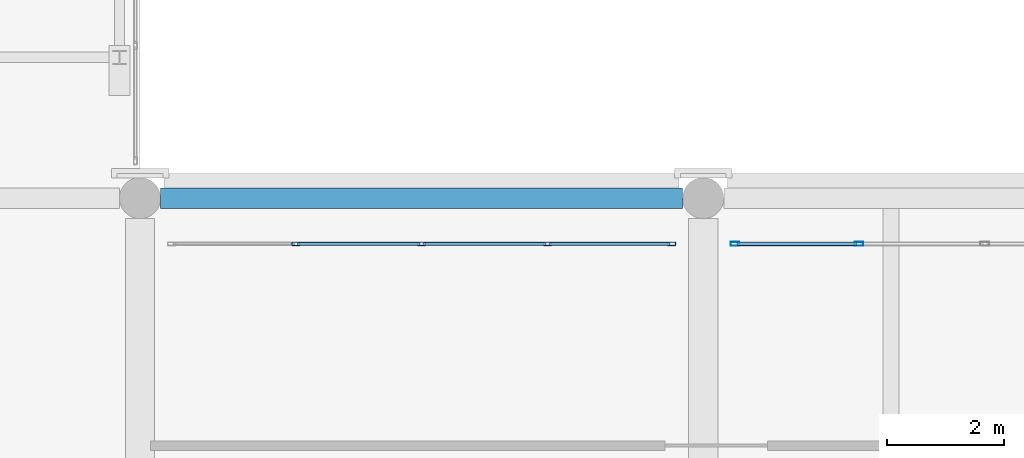
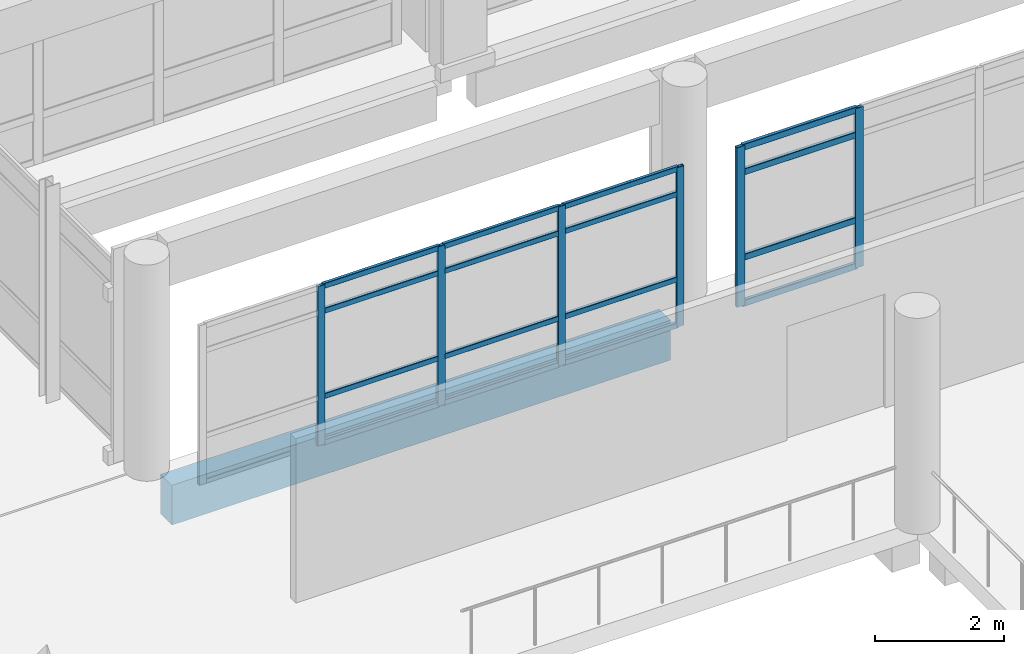
# One storey, part 28 of 180: 22 members, 1 beam, 2 elements without a shape of their own.
"""IFC4 building model written with IfcOpenShell, lengths in metres."""

import ifcopenshell
import ifcopenshell.guid

model = None  # the IFC model being written
_history = None  # IfcOwnerHistory: only IFC2X3 demands one
_inside = {}  # id of a spatial element -> (the spatial element, [elements in it])
_under = {}  # id of a project, library or spatial element -> (it, [spatial elements below it])
_declared = {}  # id of a project -> (the project, [libraries it declares])
_typed = {}  # id of a type object -> (the type object, [elements of that type])
_made_of = {}  # id of a material, layer set ... -> (it, [elements and type objects made of it])


def new_model(schema):
    """Start an empty IFC model of exactly this schema.

    Asked for "IFC4X3", IfcOpenShell would pick the latest addendum, in which some entities
    have other attributes; the version numbers below select the first issue.
    IFC2X3 requires an IfcOwnerHistory on every rooted entity: one is made here for all.
    """
    global model, _history
    if schema == "IFC4X3":
        model = ifcopenshell.file(schema_version=(4, 3, 0, 0))
    else:
        model = ifcopenshell.file(schema=schema)
    _inside.clear()
    _under.clear()
    _declared.clear()
    _typed.clear()
    _made_of.clear()
    _history = None
    if model.schema == "IFC2X3":
        org = make("IfcOrganization", Name="unknown")
        user = make(
            "IfcPersonAndOrganization",
            ThePerson=make("IfcPerson", FamilyName="unknown"),
            TheOrganization=org,
        )
        app = make(
            "IfcApplication",
            ApplicationDeveloper=org,
            Version="unknown",
            ApplicationFullName="unknown",
            ApplicationIdentifier="unknown",
        )
        _history = make(
            "IfcOwnerHistory",
            OwningUser=user,
            OwningApplication=app,
            ChangeAction="ADDED",
            CreationDate=0,
        )
    return model


def make(cls, **values):
    """One entity of the class cls with the attributes given. An attribute that is None is left unset."""
    return model.create_entity(
        cls, **{name: value for name, value in values.items() if value is not None}
    )


def rooted(cls, **values):
    """An entity with a GlobalId (a new one), such as an element, a storey or a relation."""
    return make(cls, GlobalId=ifcopenshell.guid.new(), OwnerHistory=_history, **values)


def si_unit(unit_type, name, prefix=None):
    """IfcSIUnit, for example si_unit("LENGTHUNIT", "METRE", prefix="MILLI")."""
    return make("IfcSIUnit", UnitType=unit_type, Prefix=prefix, Name=name)


def assignment(units):
    """IfcUnitAssignment: the units of a project."""
    return None if units is None else make("IfcUnitAssignment", Units=units)


def point(xyz):
    """IfcCartesianPoint."""
    return None if xyz is None else make("IfcCartesianPoint", Coordinates=xyz)


def direction(xyz):
    """IfcDirection."""
    return None if xyz is None else make("IfcDirection", DirectionRatios=xyz)


def frame(location, z_axis=None, x_axis=None):
    """IfcAxis2Placement3D, a coordinate frame: its origin and axes. An axis left out is left unset."""
    return make(
        "IfcAxis2Placement3D",
        Location=point(location),
        Axis=direction(z_axis),
        RefDirection=direction(x_axis),
    )


def frame_2d(location, x_axis=None):
    """IfcAxis2Placement2D, a coordinate frame in the plane: its origin and x axis."""
    return make(
        "IfcAxis2Placement2D", Location=point(location), RefDirection=direction(x_axis)
    )


def origin():
    """The frame at (0, 0, 0) with its axes left unset."""
    return frame((0.0, 0.0, 0.0))


def origin_2d():
    """The frame at (0, 0) in the plane with its x axis left unset."""
    return frame_2d((0.0, 0.0))


def place(relative_to, where):
    """IfcLocalPlacement: puts the frame where relative to a parent placement (None: the world)."""
    return make(
        "IfcLocalPlacement", PlacementRelTo=relative_to, RelativePlacement=where
    )


def context(
    kind, dimensions, precision=None, world=None, true_north=None, identifier=None
):
    """IfcGeometricRepresentationContext, for example the 3D "Model" context."""
    return make(
        "IfcGeometricRepresentationContext",
        ContextIdentifier=identifier,
        ContextType=kind,
        CoordinateSpaceDimension=dimensions,
        Precision=precision,
        WorldCoordinateSystem=world,
        TrueNorth=true_north,
    )


def subcontext(parent, identifier, kind, view, scale=None):
    """IfcGeometricRepresentationSubContext, for example "Body" below "Model"."""
    return make(
        "IfcGeometricRepresentationSubContext",
        ContextIdentifier=identifier,
        ContextType=kind,
        ParentContext=parent,
        TargetScale=scale,
        TargetView=view,
    )


def project(units=None, contexts=None):
    """IfcProject with its units and contexts."""
    return rooted(
        "IfcProject",
        Name="project",
        RepresentationContexts=contexts,
        UnitsInContext=assignment(units),
    )


def spatial(cls, under=None, at=None, **own):
    """A site, building, storey or space (cls), placed at a placement, below another one or the project."""
    s = rooted(cls, ObjectPlacement=at, **own)
    if under is not None:
        _under.setdefault(under.id(), (under, []))[1].append(s)
    return s


def profile(cls, at=None, kind="AREA", **sizes):
    """A parametric profile (cls). Its sizes go by their IFC names, for example OverallWidth=200.0."""
    return make(cls, ProfileType=kind, Position=at, **sizes)


def rectangle(**sizes):
    """IfcRectangleProfileDef."""
    return profile("IfcRectangleProfileDef", **sizes)


def hollow_rectangle(**sizes):
    """IfcRectangleHollowProfileDef."""
    return profile("IfcRectangleHollowProfileDef", **sizes)


def extrude(swept, where, along, depth):
    """IfcExtrudedAreaSolid: the profile swept, set in the frame where, extruded along a direction by depth."""
    return make(
        "IfcExtrudedAreaSolid",
        SweptArea=swept,
        Position=where,
        ExtrudedDirection=direction(along),
        Depth=depth,
    )


def shape(context_of_items, identifier, shape_type, items):
    """IfcShapeRepresentation: the items that make up one representation, for example the "Body"."""
    return make(
        "IfcShapeRepresentation",
        ContextOfItems=context_of_items,
        RepresentationIdentifier=identifier,
        RepresentationType=shape_type,
        Items=items,
    )


def material(Name=None, Category=None):
    """IfcMaterial."""
    return make("IfcMaterial", Name=Name, Category=Category)


def layer(
    of_material, thickness, ventilated=None, Name=None, Category=None, Priority=None
):
    """IfcMaterialLayer: one layer of a wall or slab, of a material (None: an air gap)."""
    return make(
        "IfcMaterialLayer",
        Material=of_material,
        LayerThickness=thickness,
        IsVentilated=ventilated,
        Name=Name,
        Category=Category,
        Priority=Priority,
    )


def layer_set(layers, Name=None):
    """IfcMaterialLayerSet."""
    return make("IfcMaterialLayerSet", MaterialLayers=layers, LayerSetName=Name)


def material_profile(
    of_material, cross_section, Name=None, Category=None, Priority=None
):
    """IfcMaterialProfile: a cross section and its material."""
    return make(
        "IfcMaterialProfile",
        Name=Name,
        Material=of_material,
        Profile=cross_section,
        Priority=Priority,
        Category=Category,
    )


def profile_set(profiles, Name=None, composite=None):
    """IfcMaterialProfileSet."""
    return make(
        "IfcMaterialProfileSet",
        Name=Name,
        MaterialProfiles=profiles,
        CompositeProfile=composite,
    )


def made_of(thing, what):
    """Note that an element or type object is made of a material, layer set ...; save() writes the relation."""
    if what is not None:
        _made_of.setdefault(what.id(), (what, []))[1].append(thing)
    return thing


def type_object(cls, material=None, **own):
    """A type object (cls), such as IfcWallType, which elements share."""
    return made_of(rooted(cls, **own), material)


def element(
    cls,
    number,
    at=None,
    inside=None,
    cuts=None,
    type_object=None,
    material=None,
    context=None,
    identifier="Body",
    shape_type=None,
    held_by="IfcProductDefinitionShape",
    body=None,
    shapes=None,
    **own,
):
    """One element of the class cls, such as IfcWall. Its Tag is "e" and its number.

    at: its placement. inside: the storey or other place that contains it. cuts: it is an
    opening in that element (IfcRelVoidsElement). A single representation is given by context,
    identifier, shape_type and body (its items); several are given by shapes. held_by: the class
    of the entity that holds the representations. save() writes the other relations.
    """
    e = rooted(cls, Tag="e%d" % number, ObjectPlacement=at, **own)
    if body is not None:
        shapes = [shape(context, identifier, shape_type, body)]
    if shapes is not None:
        e.Representation = make(held_by, Representations=shapes)
    if inside is not None:
        _inside.setdefault(inside.id(), (inside, []))[1].append(e)
    if cuts is not None:
        rooted(
            "IfcRelVoidsElement", RelatingBuildingElement=cuts, RelatedOpeningElement=e
        )
    if type_object is not None:
        _typed.setdefault(type_object.id(), (type_object, []))[1].append(e)
    return made_of(e, material)


def aggregate(whole, parts):
    """IfcRelAggregates: a whole, such as a stair, and the parts it consists of."""
    return rooted("IfcRelAggregates", RelatingObject=whole, RelatedObjects=parts)


def save(model, path):
    """Write the relations noted so far, then the file.

    IfcRelAggregates (storeys below a building ...), IfcRelContainedInSpatialStructure (elements
    in a storey), IfcRelDefinesByType, IfcRelAssociatesMaterial and IfcRelDeclares: one each for
    every whole, place, type object, material and project.
    """
    for whole, parts in _under.values():
        aggregate(whole, parts)
    for where, things in _inside.values():
        rooted(
            "IfcRelContainedInSpatialStructure",
            RelatedElements=things,
            RelatingStructure=where,
        )
    for kind, things in _typed.values():
        rooted("IfcRelDefinesByType", RelatedObjects=things, RelatingType=kind)
    for what, things in _made_of.values():
        rooted("IfcRelAssociatesMaterial", RelatedObjects=things, RelatingMaterial=what)
    for by, libraries in _declared.values():
        rooted("IfcRelDeclares", RelatingContext=by, RelatedDefinitions=libraries)
    model.write(path)


model = new_model("IFC4")

# Units and contexts
model_context = context("Model", 3, precision=1e-05, world=origin(), true_north=direction((0.0, 1.0)))
body_context = subcontext(model_context, "Body", "Model", "MODEL_VIEW")
ifc_project = project(units=[si_unit("LENGTHUNIT", "METRE"), si_unit("AREAUNIT", "SQUARE_METRE"), si_unit("VOLUMEUNIT", "CUBIC_METRE"), si_unit("PLANEANGLEUNIT", "RADIAN"), si_unit("MASSUNIT", "GRAM", prefix="KILO")], contexts=[model_context])

# Site, building, storey
site_placement = place(None, origin())
site = spatial("IfcSite", under=ifc_project, at=site_placement, CompositionType="ELEMENT")
building_placement = place(site_placement, origin())
building = spatial("IfcBuilding", under=site, at=building_placement, Name="Asteropetra Specialist Clinic", CompositionType="ELEMENT")
storey_placement = place(building_placement, frame((0.0, 0.0, 4.419921875)))
storey = spatial("IfcBuildingStorey", under=building, at=storey_placement, Name="L01", CompositionType="ELEMENT", Elevation=4.419921875)

# Curtain wall, members
ifc_material_1 = material(Name="Aluminium and low-E glass", Category="aluminium")
ifc_layer_1 = layer(ifc_material_1, 0.135009765625)
ifc_layer_set_1 = layer_set([ifc_layer_1], Name="Aluminium and low-E glass")
curtain_wall_type_1 = type_object("IfcCurtainWallType", Name="CW-SYS-09", PredefinedType="USERDEFINED", material=ifc_layer_set_1)
curtain_wall_1_placement = place(storey_placement, origin())
curtain_wall_1 = element("IfcCurtainWall", 1, at=curtain_wall_1_placement, inside=storey, type_object=curtain_wall_type_1, Name="Curtain Wall CW-137", ObjectType="STICK GLAZED COLONNADE", PredefinedType="USERDEFINED")
ifc_material_2 = material(Name="Aluminium 6063-T6", Category="aluminium")
ifc_material_profile_1 = material_profile(ifc_material_2, hollow_rectangle(XDim=0.06005859375, YDim=0.135009765625, WallThickness=0.00341796875, InnerFilletRadius=0.00341796875, OuterFilletRadius=0.007080078125, at=origin_2d()), Name="MUL 135x60x3.5")
ifc_profile_set_1 = profile_set([ifc_material_profile_1], Name="Aluminium 6063-T6")
member_type_1 = type_object("IfcMemberType", Name="CWM-135x60", PredefinedType="MULLION", material=ifc_profile_set_1)
member_1_placement = place(storey_placement, frame((37.860107421875, 25.6201171875, 0.0), z_axis=(0.0, 0.0, 1.0), x_axis=(0.0, -1.0, 0.0)))
member_1 = element("IfcMember", 2, at=member_1_placement, type_object=member_type_1, Name="CW-137 mullion 1", PredefinedType="MULLION", context=body_context, shape_type="SweptSolid", body=[
    extrude(hollow_rectangle(XDim=0.06005859375, YDim=0.135009765625, WallThickness=0.00341796875, InnerFilletRadius=0.00341796875, OuterFilletRadius=0.007080078125, at=origin_2d()), origin(), (0.0, 0.0, 1.0), 3.010009765625),
])
member_2_placement = place(storey_placement, frame((35.7451171875, 25.6201171875, 0.0), z_axis=(0.0, 0.0, 1.0), x_axis=(0.0, -1.0, 0.0)))
member_2 = element("IfcMember", 3, at=member_2_placement, type_object=member_type_1, Name="CW-137 mullion 2", PredefinedType="MULLION", context=body_context, shape_type="SweptSolid", body=[
    extrude(hollow_rectangle(XDim=0.06005859375, YDim=0.135009765625, WallThickness=0.00341796875, InnerFilletRadius=0.00341796875, OuterFilletRadius=0.007080078125, at=origin_2d()), origin(), (0.0, 0.0, 1.0), 3.010009765625),
])
member_3_placement = place(storey_placement, frame((33.60009765625, 25.6201171875, 0.0), z_axis=(0.0, 0.0, 1.0), x_axis=(0.0, -1.0, 0.0)))
member_3 = element("IfcMember", 4, at=member_3_placement, type_object=member_type_1, Name="CW-137 mullion 3", PredefinedType="MULLION", context=body_context, shape_type="SweptSolid", body=[
    extrude(hollow_rectangle(XDim=0.06005859375, YDim=0.135009765625, WallThickness=0.00341796875, InnerFilletRadius=0.00341796875, OuterFilletRadius=0.007080078125, at=origin_2d()), origin(), (0.0, 0.0, 1.0), 3.010009765625),
])
member_4_placement = place(storey_placement, frame((31.455078125, 25.6201171875, 0.0), z_axis=(0.0, 0.0, 1.0), x_axis=(0.0, -1.0, 0.0)))
member_4 = element("IfcMember", 5, at=member_4_placement, type_object=member_type_1, Name="CW-137 mullion 4", PredefinedType="MULLION", context=body_context, shape_type="SweptSolid", body=[
    extrude(hollow_rectangle(XDim=0.06005859375, YDim=0.135009765625, WallThickness=0.00341796875, InnerFilletRadius=0.00341796875, OuterFilletRadius=0.007080078125, at=origin_2d()), origin(), (0.0, 0.0, 1.0), 3.010009765625),
])

ifc_material_3 = material(Name="Aluminium and low-E glass", Category="aluminium")
ifc_layer_2 = layer(ifc_material_3, 0.14990234375)
ifc_layer_set_2 = layer_set([ifc_layer_2], Name="Aluminium and low-E glass")
curtain_wall_type_2 = type_object("IfcCurtainWallType", Name="CW-SYS-11", PredefinedType="USERDEFINED", material=ifc_layer_set_2)
curtain_wall_2_placement = place(storey_placement, origin())
curtain_wall_2 = element("IfcCurtainWall", 6, at=curtain_wall_2_placement, inside=storey, type_object=curtain_wall_type_2, Name="Curtain Wall CW-139", ObjectType="STICK GLAZED COLONNADE", PredefinedType="USERDEFINED")
ifc_material_4 = material(Name="Aluminium 6063-T6", Category="aluminium")
ifc_material_profile_2 = material_profile(ifc_material_4, hollow_rectangle(XDim=0.06494140625, YDim=0.14990234375, WallThickness=0.00390625, InnerFilletRadius=0.00390625, OuterFilletRadius=0.008056640625, at=origin_2d()), Name="MUL 150x65x4.0")
ifc_profile_set_2 = profile_set([ifc_material_profile_2], Name="Aluminium 6063-T6")
member_type_2 = type_object("IfcMemberType", Name="CWM-150x65", PredefinedType="MULLION", material=ifc_profile_set_2)
member_5_placement = place(storey_placement, frame((41.054931640625, 25.6201171875, 0.0), z_axis=(0.0, 0.0, 1.0), x_axis=(0.0, -1.0, 0.0)))
member_5 = element("IfcMember", 7, at=member_5_placement, type_object=member_type_2, Name="CW-139 mullion 4", PredefinedType="MULLION", context=body_context, shape_type="SweptSolid", body=[
    extrude(hollow_rectangle(XDim=0.06494140625, YDim=0.14990234375, WallThickness=0.00390625, InnerFilletRadius=0.00390625, OuterFilletRadius=0.008056640625, at=origin_2d()), origin(), (0.0, 0.0, 1.0), 3.010009765625),
])
member_6_placement = place(storey_placement, frame((38.9423828125, 25.6201171875, 0.0), z_axis=(0.0, 0.0, 1.0), x_axis=(0.0, -1.0, 0.0)))
member_6 = element("IfcMember", 8, at=member_6_placement, type_object=member_type_2, Name="CW-139 mullion 5", PredefinedType="MULLION", context=body_context, shape_type="SweptSolid", body=[
    extrude(hollow_rectangle(XDim=0.06494140625, YDim=0.14990234375, WallThickness=0.00390625, InnerFilletRadius=0.00390625, OuterFilletRadius=0.008056640625, at=origin_2d()), origin(), (0.0, 0.0, 1.0), 3.010009765625),
])

# Member
ifc_material_5 = material(Name="Aluminium 6063-T6", Category="aluminium")
ifc_material_profile_3 = material_profile(ifc_material_5, hollow_rectangle(XDim=0.06005859375, YDim=0.10009765625, WallThickness=0.00341796875, InnerFilletRadius=0.00341796875, OuterFilletRadius=0.007080078125, at=origin_2d()), Name="TRN 100x60x3.5")
ifc_profile_set_3 = profile_set([ifc_material_profile_3], Name="Aluminium 6063-T6")
member_type_3 = type_object("IfcMemberType", Name="CWT-100x60", PredefinedType="USERDEFINED", material=ifc_profile_set_3)
member_7_placement = place(storey_placement, frame((37.830078125, 25.6201171875, 0.030029296875), z_axis=(-1.0, 0.0, 0.0), x_axis=(0.0, -1.0, 0.0)))
member_7 = element("IfcMember", 9, at=member_7_placement, type_object=member_type_3, Name="CW-137 transom 1.1", ObjectType="TRANSOM", PredefinedType="USERDEFINED", context=body_context, shape_type="SweptSolid", body=[
    extrude(hollow_rectangle(XDim=0.06005859375, YDim=0.10009765625, WallThickness=0.00341796875, InnerFilletRadius=0.00341796875, OuterFilletRadius=0.007080078125, at=origin_2d()), origin(), (0.0, 0.0, 1.0), 2.05517578125),
])

member_8_placement = place(storey_placement, frame((37.830078125, 25.6201171875, 0.900146484375), z_axis=(-1.0, 0.0, 0.0), x_axis=(0.0, -1.0, 0.0)))
member_8 = element("IfcMember", 10, at=member_8_placement, type_object=member_type_3, Name="CW-137 transom 1.2", ObjectType="TRANSOM", PredefinedType="USERDEFINED", context=body_context, shape_type="SweptSolid", body=[
    extrude(hollow_rectangle(XDim=0.06005859375, YDim=0.10009765625, WallThickness=0.00341796875, InnerFilletRadius=0.00341796875, OuterFilletRadius=0.007080078125, at=origin_2d()), origin(), (0.0, 0.0, 1.0), 2.05517578125),
])

member_9_placement = place(storey_placement, frame((37.830078125, 25.6201171875, 2.510009765625), z_axis=(-1.0, 0.0, 0.0), x_axis=(0.0, -1.0, 0.0)))
member_9 = element("IfcMember", 11, at=member_9_placement, type_object=member_type_3, Name="CW-137 transom 1.3", ObjectType="TRANSOM", PredefinedType="USERDEFINED", context=body_context, shape_type="SweptSolid", body=[
    extrude(hollow_rectangle(XDim=0.06005859375, YDim=0.10009765625, WallThickness=0.00341796875, InnerFilletRadius=0.00341796875, OuterFilletRadius=0.007080078125, at=origin_2d()), origin(), (0.0, 0.0, 1.0), 2.05517578125),
])

member_10_placement = place(storey_placement, frame((37.830078125, 25.6201171875, 2.97998046875), z_axis=(-1.0, 0.0, 0.0), x_axis=(0.0, -1.0, 0.0)))
member_10 = element("IfcMember", 12, at=member_10_placement, type_object=member_type_3, Name="CW-137 transom 1.4", ObjectType="TRANSOM", PredefinedType="USERDEFINED", context=body_context, shape_type="SweptSolid", body=[
    extrude(hollow_rectangle(XDim=0.06005859375, YDim=0.10009765625, WallThickness=0.00341796875, InnerFilletRadius=0.00341796875, OuterFilletRadius=0.007080078125, at=origin_2d()), origin(), (0.0, 0.0, 1.0), 2.05517578125),
])

member_11_placement = place(storey_placement, frame((35.715087890625, 25.6201171875, 0.030029296875), z_axis=(-1.0, 0.0, 0.0), x_axis=(0.0, -1.0, 0.0)))
member_11 = element("IfcMember", 13, at=member_11_placement, type_object=member_type_3, Name="CW-137 transom 2.1", ObjectType="TRANSOM", PredefinedType="USERDEFINED", context=body_context, shape_type="SweptSolid", body=[
    extrude(hollow_rectangle(XDim=0.06005859375, YDim=0.10009765625, WallThickness=0.00341796875, InnerFilletRadius=0.00341796875, OuterFilletRadius=0.007080078125, at=origin_2d()), origin(), (0.0, 0.0, 1.0), 2.085205078125),
])

member_12_placement = place(storey_placement, frame((35.715087890625, 25.6201171875, 0.900146484375), z_axis=(-1.0, 0.0, 0.0), x_axis=(0.0, -1.0, 0.0)))
member_12 = element("IfcMember", 14, at=member_12_placement, type_object=member_type_3, Name="CW-137 transom 2.2", ObjectType="TRANSOM", PredefinedType="USERDEFINED", context=body_context, shape_type="SweptSolid", body=[
    extrude(hollow_rectangle(XDim=0.06005859375, YDim=0.10009765625, WallThickness=0.00341796875, InnerFilletRadius=0.00341796875, OuterFilletRadius=0.007080078125, at=origin_2d()), origin(), (0.0, 0.0, 1.0), 2.085205078125),
])

member_13_placement = place(storey_placement, frame((35.715087890625, 25.6201171875, 2.510009765625), z_axis=(-1.0, 0.0, 0.0), x_axis=(0.0, -1.0, 0.0)))
member_13 = element("IfcMember", 15, at=member_13_placement, type_object=member_type_3, Name="CW-137 transom 2.3", ObjectType="TRANSOM", PredefinedType="USERDEFINED", context=body_context, shape_type="SweptSolid", body=[
    extrude(hollow_rectangle(XDim=0.06005859375, YDim=0.10009765625, WallThickness=0.00341796875, InnerFilletRadius=0.00341796875, OuterFilletRadius=0.007080078125, at=origin_2d()), origin(), (0.0, 0.0, 1.0), 2.085205078125),
])

member_14_placement = place(storey_placement, frame((35.715087890625, 25.6201171875, 2.97998046875), z_axis=(-1.0, 0.0, 0.0), x_axis=(0.0, -1.0, 0.0)))
member_14 = element("IfcMember", 16, at=member_14_placement, type_object=member_type_3, Name="CW-137 transom 2.4", ObjectType="TRANSOM", PredefinedType="USERDEFINED", context=body_context, shape_type="SweptSolid", body=[
    extrude(hollow_rectangle(XDim=0.06005859375, YDim=0.10009765625, WallThickness=0.00341796875, InnerFilletRadius=0.00341796875, OuterFilletRadius=0.007080078125, at=origin_2d()), origin(), (0.0, 0.0, 1.0), 2.085205078125),
])

member_15_placement = place(storey_placement, frame((33.570068359375, 25.6201171875, 0.030029296875), z_axis=(-1.0, 0.0, 0.0), x_axis=(0.0, -1.0, 0.0)))
member_15 = element("IfcMember", 17, at=member_15_placement, type_object=member_type_3, Name="CW-137 transom 3.1", ObjectType="TRANSOM", PredefinedType="USERDEFINED", context=body_context, shape_type="SweptSolid", body=[
    extrude(hollow_rectangle(XDim=0.06005859375, YDim=0.10009765625, WallThickness=0.00341796875, InnerFilletRadius=0.00341796875, OuterFilletRadius=0.007080078125, at=origin_2d()), origin(), (0.0, 0.0, 1.0), 2.0849609375),
])

member_16_placement = place(storey_placement, frame((33.570068359375, 25.6201171875, 0.900146484375), z_axis=(-1.0, 0.0, 0.0), x_axis=(0.0, -1.0, 0.0)))
member_16 = element("IfcMember", 18, at=member_16_placement, type_object=member_type_3, Name="CW-137 transom 3.2", ObjectType="TRANSOM", PredefinedType="USERDEFINED", context=body_context, shape_type="SweptSolid", body=[
    extrude(hollow_rectangle(XDim=0.06005859375, YDim=0.10009765625, WallThickness=0.00341796875, InnerFilletRadius=0.00341796875, OuterFilletRadius=0.007080078125, at=origin_2d()), origin(), (0.0, 0.0, 1.0), 2.0849609375),
])

member_17_placement = place(storey_placement, frame((33.570068359375, 25.6201171875, 2.510009765625), z_axis=(-1.0, 0.0, 0.0), x_axis=(0.0, -1.0, 0.0)))
member_17 = element("IfcMember", 19, at=member_17_placement, type_object=member_type_3, Name="CW-137 transom 3.3", ObjectType="TRANSOM", PredefinedType="USERDEFINED", context=body_context, shape_type="SweptSolid", body=[
    extrude(hollow_rectangle(XDim=0.06005859375, YDim=0.10009765625, WallThickness=0.00341796875, InnerFilletRadius=0.00341796875, OuterFilletRadius=0.007080078125, at=origin_2d()), origin(), (0.0, 0.0, 1.0), 2.0849609375),
])

member_18_placement = place(storey_placement, frame((33.570068359375, 25.6201171875, 2.97998046875), z_axis=(-1.0, 0.0, 0.0), x_axis=(0.0, -1.0, 0.0)))
member_18 = element("IfcMember", 20, at=member_18_placement, type_object=member_type_3, Name="CW-137 transom 3.4", ObjectType="TRANSOM", PredefinedType="USERDEFINED", context=body_context, shape_type="SweptSolid", body=[
    extrude(hollow_rectangle(XDim=0.06005859375, YDim=0.10009765625, WallThickness=0.00341796875, InnerFilletRadius=0.00341796875, OuterFilletRadius=0.007080078125, at=origin_2d()), origin(), (0.0, 0.0, 1.0), 2.0849609375),
])

aggregate(curtain_wall_1, [member_1, member_2, member_3, member_4, member_7, member_8, member_9, member_10, member_11, member_12, member_13, member_14, member_15, member_16, member_17, member_18])

ifc_material_6 = material(Name="Aluminium 6063-T6", Category="aluminium")
ifc_material_profile_4 = material_profile(ifc_material_6, hollow_rectangle(XDim=0.06494140625, YDim=0.1201171875, WallThickness=0.00390625, InnerFilletRadius=0.00390625, OuterFilletRadius=0.008056640625, at=origin_2d()), Name="TRN 120x65x4.0")
ifc_profile_set_4 = profile_set([ifc_material_profile_4], Name="Aluminium 6063-T6")
member_type_4 = type_object("IfcMemberType", Name="CWT-120x65", PredefinedType="USERDEFINED", material=ifc_profile_set_4)
member_19_placement = place(storey_placement, frame((41.0224609375, 25.6201171875, 0.032470703125), z_axis=(-1.0, 0.0, 0.0), x_axis=(0.0, -1.0, 0.0)))
member_19 = element("IfcMember", 21, at=member_19_placement, type_object=member_type_4, Name="CW-139 transom 4.1", ObjectType="TRANSOM", PredefinedType="USERDEFINED", context=body_context, shape_type="SweptSolid", body=[
    extrude(hollow_rectangle(XDim=0.06494140625, YDim=0.1201171875, WallThickness=0.00390625, InnerFilletRadius=0.00390625, OuterFilletRadius=0.008056640625, at=origin_2d()), origin(), (0.0, 0.0, 1.0), 2.04736328125),
])

member_20_placement = place(storey_placement, frame((41.0224609375, 25.6201171875, 0.900146484375), z_axis=(-1.0, 0.0, 0.0), x_axis=(0.0, -1.0, 0.0)))
member_20 = element("IfcMember", 22, at=member_20_placement, type_object=member_type_4, Name="CW-139 transom 4.2", ObjectType="TRANSOM", PredefinedType="USERDEFINED", context=body_context, shape_type="SweptSolid", body=[
    extrude(hollow_rectangle(XDim=0.06494140625, YDim=0.1201171875, WallThickness=0.00390625, InnerFilletRadius=0.00390625, OuterFilletRadius=0.008056640625, at=origin_2d()), origin(), (0.0, 0.0, 1.0), 2.04736328125),
])

member_21_placement = place(storey_placement, frame((41.0224609375, 25.6201171875, 2.510009765625), z_axis=(-1.0, 0.0, 0.0), x_axis=(0.0, -1.0, 0.0)))
member_21 = element("IfcMember", 23, at=member_21_placement, type_object=member_type_4, Name="CW-139 transom 4.3", ObjectType="TRANSOM", PredefinedType="USERDEFINED", context=body_context, shape_type="SweptSolid", body=[
    extrude(hollow_rectangle(XDim=0.06494140625, YDim=0.1201171875, WallThickness=0.00390625, InnerFilletRadius=0.00390625, OuterFilletRadius=0.008056640625, at=origin_2d()), origin(), (0.0, 0.0, 1.0), 2.04736328125),
])

member_22_placement = place(storey_placement, frame((41.0224609375, 25.6201171875, 2.9775390625), z_axis=(-1.0, 0.0, 0.0), x_axis=(0.0, -1.0, 0.0)))
member_22 = element("IfcMember", 24, at=member_22_placement, type_object=member_type_4, Name="CW-139 transom 4.4", ObjectType="TRANSOM", PredefinedType="USERDEFINED", context=body_context, shape_type="SweptSolid", body=[
    extrude(hollow_rectangle(XDim=0.06494140625, YDim=0.1201171875, WallThickness=0.00390625, InnerFilletRadius=0.00390625, OuterFilletRadius=0.008056640625, at=origin_2d()), origin(), (0.0, 0.0, 1.0), 2.04736328125),
])

aggregate(curtain_wall_2, [member_5, member_6, member_19, member_20, member_21, member_22])

# Beam
ifc_material_7 = material(Name="Concrete C35/45", Category="concrete")
ifc_material_profile_5 = material_profile(ifc_material_7, rectangle(XDim=0.35009765625, YDim=0.75, at=origin_2d()), Name="RCS 350x750")
ifc_profile_set_5 = profile_set([ifc_material_profile_5], Name="Concrete C35/45")
beam_type = type_object("IfcBeamType", Name="SPN-RC350x750", PredefinedType="SPANDREL", material=ifc_profile_set_5)
beam_placement = place(storey_placement, frame((29.14990234375, 26.39990234375, -0.71484375), z_axis=(1.0, 0.0, 0.0), x_axis=(0.0, 1.0, 0.0)))
element("IfcBeam", 25, at=beam_placement, inside=storey, type_object=beam_type, Name="Beam BSPN01-0249", PredefinedType="SPANDREL", context=body_context, shape_type="SweptSolid", body=[
    extrude(rectangle(XDim=0.35009765625, YDim=0.75, at=origin_2d()), origin(), (0.0, 0.0, 1.0), 8.900146484375),
])

save(model, "model.ifc")
